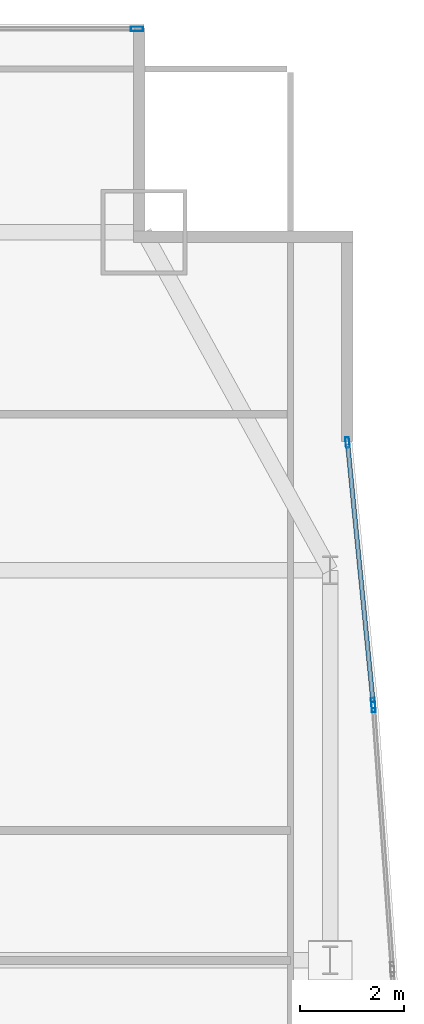
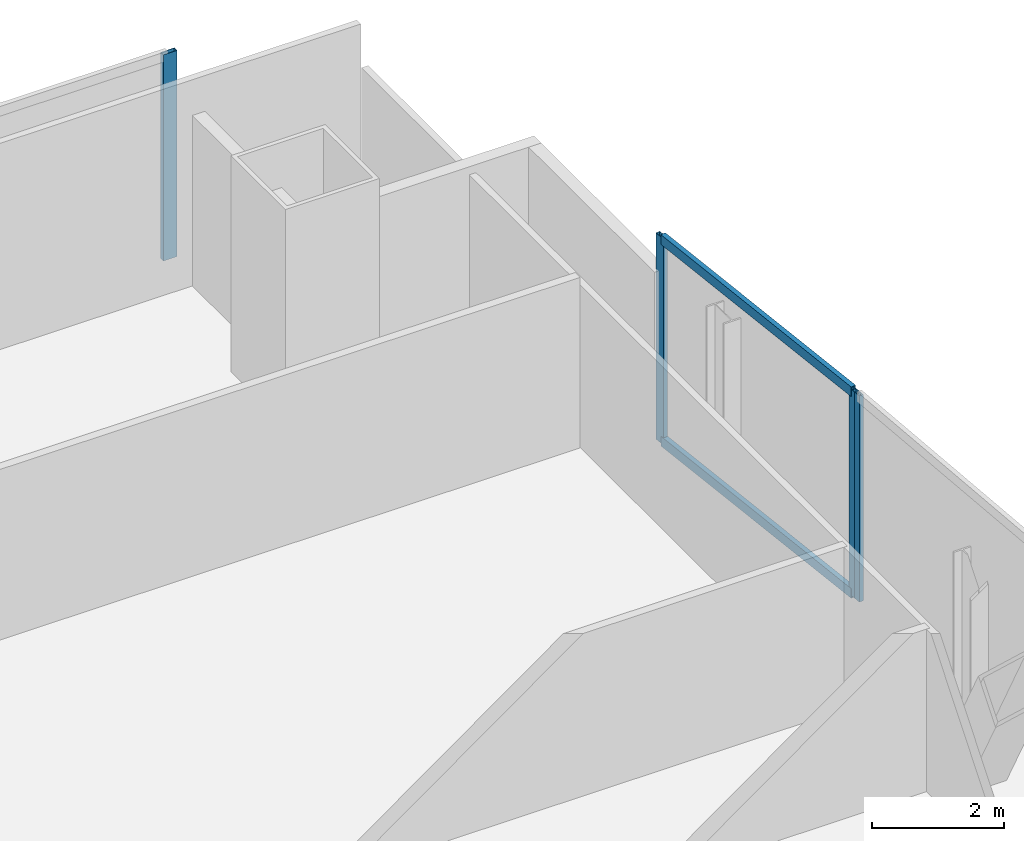
# One storey, part 24 of 33: 6 members, 3 elements without a shape of their own.
"""IFC4 building model written with IfcOpenShell, lengths in metres."""

import ifcopenshell
import ifcopenshell.guid

model = None  # the IFC model being written
_history = None  # IfcOwnerHistory: only IFC2X3 demands one
_inside = {}  # id of a spatial element -> (the spatial element, [elements in it])
_under = {}  # id of a project, library or spatial element -> (it, [spatial elements below it])
_declared = {}  # id of a project -> (the project, [libraries it declares])
_typed = {}  # id of a type object -> (the type object, [elements of that type])
_made_of = {}  # id of a material, layer set ... -> (it, [elements and type objects made of it])


def new_model(schema):
    """Start an empty IFC model of exactly this schema.

    Asked for "IFC4X3", IfcOpenShell would pick the latest addendum, in which some entities
    have other attributes; the version numbers below select the first issue.
    IFC2X3 requires an IfcOwnerHistory on every rooted entity: one is made here for all.
    """
    global model, _history
    if schema == "IFC4X3":
        model = ifcopenshell.file(schema_version=(4, 3, 0, 0))
    else:
        model = ifcopenshell.file(schema=schema)
    _inside.clear()
    _under.clear()
    _declared.clear()
    _typed.clear()
    _made_of.clear()
    _history = None
    if model.schema == "IFC2X3":
        org = make("IfcOrganization", Name="unknown")
        user = make(
            "IfcPersonAndOrganization",
            ThePerson=make("IfcPerson", FamilyName="unknown"),
            TheOrganization=org,
        )
        app = make(
            "IfcApplication",
            ApplicationDeveloper=org,
            Version="unknown",
            ApplicationFullName="unknown",
            ApplicationIdentifier="unknown",
        )
        _history = make(
            "IfcOwnerHistory",
            OwningUser=user,
            OwningApplication=app,
            ChangeAction="ADDED",
            CreationDate=0,
        )
    return model


def make(cls, **values):
    """One entity of the class cls with the attributes given. An attribute that is None is left unset."""
    return model.create_entity(
        cls, **{name: value for name, value in values.items() if value is not None}
    )


def rooted(cls, **values):
    """An entity with a GlobalId (a new one), such as an element, a storey or a relation."""
    return make(cls, GlobalId=ifcopenshell.guid.new(), OwnerHistory=_history, **values)


def si_unit(unit_type, name, prefix=None):
    """IfcSIUnit, for example si_unit("LENGTHUNIT", "METRE", prefix="MILLI")."""
    return make("IfcSIUnit", UnitType=unit_type, Prefix=prefix, Name=name)


def assignment(units):
    """IfcUnitAssignment: the units of a project."""
    return None if units is None else make("IfcUnitAssignment", Units=units)


def point(xyz):
    """IfcCartesianPoint."""
    return None if xyz is None else make("IfcCartesianPoint", Coordinates=xyz)


def direction(xyz):
    """IfcDirection."""
    return None if xyz is None else make("IfcDirection", DirectionRatios=xyz)


def frame(location, z_axis=None, x_axis=None):
    """IfcAxis2Placement3D, a coordinate frame: its origin and axes. An axis left out is left unset."""
    return make(
        "IfcAxis2Placement3D",
        Location=point(location),
        Axis=direction(z_axis),
        RefDirection=direction(x_axis),
    )


def frame_2d(location, x_axis=None):
    """IfcAxis2Placement2D, a coordinate frame in the plane: its origin and x axis."""
    return make(
        "IfcAxis2Placement2D", Location=point(location), RefDirection=direction(x_axis)
    )


def origin():
    """The frame at (0, 0, 0) with its axes left unset."""
    return frame((0.0, 0.0, 0.0))


def origin_2d():
    """The frame at (0, 0) in the plane with its x axis left unset."""
    return frame_2d((0.0, 0.0))


def place(relative_to, where):
    """IfcLocalPlacement: puts the frame where relative to a parent placement (None: the world)."""
    return make(
        "IfcLocalPlacement", PlacementRelTo=relative_to, RelativePlacement=where
    )


def context(
    kind, dimensions, precision=None, world=None, true_north=None, identifier=None
):
    """IfcGeometricRepresentationContext, for example the 3D "Model" context."""
    return make(
        "IfcGeometricRepresentationContext",
        ContextIdentifier=identifier,
        ContextType=kind,
        CoordinateSpaceDimension=dimensions,
        Precision=precision,
        WorldCoordinateSystem=world,
        TrueNorth=true_north,
    )


def subcontext(parent, identifier, kind, view, scale=None):
    """IfcGeometricRepresentationSubContext, for example "Body" below "Model"."""
    return make(
        "IfcGeometricRepresentationSubContext",
        ContextIdentifier=identifier,
        ContextType=kind,
        ParentContext=parent,
        TargetScale=scale,
        TargetView=view,
    )


def project(units=None, contexts=None):
    """IfcProject with its units and contexts."""
    return rooted(
        "IfcProject",
        Name="project",
        RepresentationContexts=contexts,
        UnitsInContext=assignment(units),
    )


def spatial(cls, under=None, at=None, **own):
    """A site, building, storey or space (cls), placed at a placement, below another one or the project."""
    s = rooted(cls, ObjectPlacement=at, **own)
    if under is not None:
        _under.setdefault(under.id(), (under, []))[1].append(s)
    return s


def profile(cls, at=None, kind="AREA", **sizes):
    """A parametric profile (cls). Its sizes go by their IFC names, for example OverallWidth=200.0."""
    return make(cls, ProfileType=kind, Position=at, **sizes)


def hollow_rectangle(**sizes):
    """IfcRectangleHollowProfileDef."""
    return profile("IfcRectangleHollowProfileDef", **sizes)


def extrude(swept, where, along, depth):
    """IfcExtrudedAreaSolid: the profile swept, set in the frame where, extruded along a direction by depth."""
    return make(
        "IfcExtrudedAreaSolid",
        SweptArea=swept,
        Position=where,
        ExtrudedDirection=direction(along),
        Depth=depth,
    )


def shape(context_of_items, identifier, shape_type, items):
    """IfcShapeRepresentation: the items that make up one representation, for example the "Body"."""
    return make(
        "IfcShapeRepresentation",
        ContextOfItems=context_of_items,
        RepresentationIdentifier=identifier,
        RepresentationType=shape_type,
        Items=items,
    )


def material(Name=None, Category=None):
    """IfcMaterial."""
    return make("IfcMaterial", Name=Name, Category=Category)


def material_profile(
    of_material, cross_section, Name=None, Category=None, Priority=None
):
    """IfcMaterialProfile: a cross section and its material."""
    return make(
        "IfcMaterialProfile",
        Name=Name,
        Material=of_material,
        Profile=cross_section,
        Priority=Priority,
        Category=Category,
    )


def profile_set(profiles, Name=None, composite=None):
    """IfcMaterialProfileSet."""
    return make(
        "IfcMaterialProfileSet",
        Name=Name,
        MaterialProfiles=profiles,
        CompositeProfile=composite,
    )


def made_of(thing, what):
    """Note that an element or type object is made of a material, layer set ...; save() writes the relation."""
    if what is not None:
        _made_of.setdefault(what.id(), (what, []))[1].append(thing)
    return thing


def type_object(cls, material=None, **own):
    """A type object (cls), such as IfcWallType, which elements share."""
    return made_of(rooted(cls, **own), material)


def element(
    cls,
    number,
    at=None,
    inside=None,
    cuts=None,
    type_object=None,
    material=None,
    context=None,
    identifier="Body",
    shape_type=None,
    held_by="IfcProductDefinitionShape",
    body=None,
    shapes=None,
    **own,
):
    """One element of the class cls, such as IfcWall. Its Tag is "e" and its number.

    at: its placement. inside: the storey or other place that contains it. cuts: it is an
    opening in that element (IfcRelVoidsElement). A single representation is given by context,
    identifier, shape_type and body (its items); several are given by shapes. held_by: the class
    of the entity that holds the representations. save() writes the other relations.
    """
    e = rooted(cls, Tag="e%d" % number, ObjectPlacement=at, **own)
    if body is not None:
        shapes = [shape(context, identifier, shape_type, body)]
    if shapes is not None:
        e.Representation = make(held_by, Representations=shapes)
    if inside is not None:
        _inside.setdefault(inside.id(), (inside, []))[1].append(e)
    if cuts is not None:
        rooted(
            "IfcRelVoidsElement", RelatingBuildingElement=cuts, RelatedOpeningElement=e
        )
    if type_object is not None:
        _typed.setdefault(type_object.id(), (type_object, []))[1].append(e)
    return made_of(e, material)


def aggregate(whole, parts):
    """IfcRelAggregates: a whole, such as a stair, and the parts it consists of."""
    return rooted("IfcRelAggregates", RelatingObject=whole, RelatedObjects=parts)


def save(model, path):
    """Write the relations noted so far, then the file.

    IfcRelAggregates (storeys below a building ...), IfcRelContainedInSpatialStructure (elements
    in a storey), IfcRelDefinesByType, IfcRelAssociatesMaterial and IfcRelDeclares: one each for
    every whole, place, type object, material and project.
    """
    for whole, parts in _under.values():
        aggregate(whole, parts)
    for where, things in _inside.values():
        rooted(
            "IfcRelContainedInSpatialStructure",
            RelatedElements=things,
            RelatingStructure=where,
        )
    for kind, things in _typed.values():
        rooted("IfcRelDefinesByType", RelatedObjects=things, RelatingType=kind)
    for what, things in _made_of.values():
        rooted("IfcRelAssociatesMaterial", RelatedObjects=things, RelatingMaterial=what)
    for by, libraries in _declared.values():
        rooted("IfcRelDeclares", RelatingContext=by, RelatedDefinitions=libraries)
    model.write(path)


model = new_model("IFC4")

# Units and contexts
model_context = context("Model", 3, precision=1e-05, world=origin(), true_north=direction((0.0, 1.0)))
body_context = subcontext(model_context, "Body", "Model", "MODEL_VIEW")
ifc_project = project(units=[si_unit("LENGTHUNIT", "METRE"), si_unit("AREAUNIT", "SQUARE_METRE"), si_unit("VOLUMEUNIT", "CUBIC_METRE"), si_unit("PLANEANGLEUNIT", "RADIAN"), si_unit("MASSUNIT", "GRAM", prefix="KILO")], contexts=[model_context])

# Site, building, storey
site_placement = place(None, origin())
site = spatial("IfcSite", under=ifc_project, at=site_placement, CompositionType="ELEMENT")
building_placement = place(site_placement, origin())
building = spatial("IfcBuilding", under=site, at=building_placement, Name="Khoronbel Lancet Exchange", CompositionType="ELEMENT")
storey_placement = place(building_placement, frame((0.0, 0.0, 73.800048828125)))
storey = spatial("IfcBuildingStorey", under=building, at=storey_placement, Name="L17", CompositionType="ELEMENT", Elevation=73.800048828125)

# Curtain wall, member
ifc_material_1 = material(Name="Low-E Solar Control Insulating Glass", Category="glass")
curtain_wall_type_1 = type_object("IfcCurtainWallType", Name="CW-1", PredefinedType="NOTDEFINED", material=ifc_material_1)
curtain_wall_1_placement = place(storey_placement, origin())
curtain_wall_1 = element("IfcCurtainWall", 1, at=curtain_wall_1_placement, inside=storey, type_object=curtain_wall_type_1, Name="Unitised curtain wall CW-L17-NEFLK", PredefinedType="NOTDEFINED")
ifc_material_2 = material(Name="Bronze-Anodised Aluminium 6063-T6", Category="aluminium")
ifc_material_profile_1 = material_profile(ifc_material_2, hollow_rectangle(XDim=0.0849609375, YDim=0.239990234375, WallThickness=0.006103515625, at=origin_2d()), Name="ALU MULLION 85x240")
ifc_profile_set_1 = profile_set([ifc_material_profile_1], Name="Bronze-Anodised Aluminium 6063-T6")
member_type_1 = type_object("IfcMemberType", Name="MEM-CWM1", PredefinedType="MULLION", material=ifc_profile_set_1)
member_1_placement = place(storey_placement, frame((67.91748046875, 53.610107421875, 0.0), z_axis=(0.0, 0.0, 1.0), x_axis=(0.0, -1.0, 0.0)))
member_1 = element("IfcMember", 2, at=member_1_placement, type_object=member_type_1, Name="CW1 mullion 1", PredefinedType="MULLION", context=body_context, shape_type="SweptSolid", body=[
    extrude(hollow_rectangle(XDim=0.0849609375, YDim=0.239990234375, WallThickness=0.006103515625, at=origin_2d()), origin(), (0.0, 0.0, 1.0), 3.820068359375),
])
aggregate(curtain_wall_1, [member_1])

# Curtain wall, members
curtain_wall_type_2 = type_object("IfcCurtainWallType", Name="CW-4", PredefinedType="NOTDEFINED", material=ifc_material_1)
curtain_wall_2_placement = place(storey_placement, origin())
curtain_wall_2 = element("IfcCurtainWall", 3, at=curtain_wall_2_placement, inside=storey, type_object=curtain_wall_type_2, Name="Unitised curtain wall CW-L17-E17", PredefinedType="NOTDEFINED")
ifc_material_profile_2 = material_profile(ifc_material_2, hollow_rectangle(XDim=0.074951171875, YDim=0.199951171875, WallThickness=0.0048828125, at=origin_2d()), Name="ALU MULLION 75x200")
ifc_profile_set_2 = profile_set([ifc_material_profile_2], Name="Bronze-Anodised Aluminium 6063-T6")
member_type_2 = type_object("IfcMemberType", Name="MEM-CWM2", PredefinedType="MULLION", material=ifc_profile_set_2)
member_2_placement = place(storey_placement, frame((71.963623046875, 45.658203125, 0.0), z_axis=(0.0, 0.0, 1.0), x_axis=(0.995197629598, 0.09788604621, 0.0)))
member_2 = element("IfcMember", 4, at=member_2_placement, type_object=member_type_2, Name="CW4 mullion 1", PredefinedType="MULLION", context=body_context, shape_type="SweptSolid", body=[
    extrude(hollow_rectangle(XDim=0.074951171875, YDim=0.199951171875, WallThickness=0.0048828125, at=origin_2d()), origin(), (0.0, 0.0, 1.0), 3.820068359375),
])
member_3_placement = place(storey_placement, frame((72.45654296875, 40.646484375, 0.0), z_axis=(0.0, 0.0, 1.0), x_axis=(0.995197629598, 0.09788604621, 0.0)))
member_3 = element("IfcMember", 5, at=member_3_placement, type_object=member_type_2, Name="CW4 mullion 2", PredefinedType="MULLION", context=body_context, shape_type="SweptSolid", body=[
    extrude(hollow_rectangle(XDim=0.074951171875, YDim=0.199951171875, WallThickness=0.0048828125, at=origin_2d()), origin(), (0.0, 0.0, 1.0), 3.820068359375),
])

# Curtain wall, member
curtain_wall_3_placement = place(storey_placement, origin())
curtain_wall_3 = element("IfcCurtainWall", 6, at=curtain_wall_3_placement, inside=storey, type_object=curtain_wall_type_2, Name="Unitised curtain wall CW-L17-E18", PredefinedType="NOTDEFINED")
member_4_placement = place(storey_placement, frame((72.462890625, 40.57177734375, 0.0), z_axis=(0.0, 0.0, 1.0), x_axis=(0.997417674327, 0.071819098708, 0.0)))
member_4 = element("IfcMember", 7, at=member_4_placement, type_object=member_type_2, Name="CW4 mullion 1", PredefinedType="MULLION", context=body_context, shape_type="SweptSolid", body=[
    extrude(hollow_rectangle(XDim=0.074951171875, YDim=0.199951171875, WallThickness=0.0048828125, at=origin_2d()), origin(), (0.0, 0.0, 1.0), 3.820068359375),
])
aggregate(curtain_wall_3, [member_4])

# Member
ifc_material_profile_3 = material_profile(ifc_material_2, hollow_rectangle(XDim=0.0849609375, YDim=0.179931640625, WallThickness=0.0048828125, at=origin_2d()), Name="ALU TRANSOM 85x180")
ifc_profile_set_3 = profile_set([ifc_material_profile_3], Name="Bronze-Anodised Aluminium 6063-T6")
member_type_3 = type_object("IfcMemberType", Name="MEM-CWT1", PredefinedType="USERDEFINED", material=ifc_profile_set_3)
member_5_placement = place(storey_placement, frame((71.96728515625, 45.620849609375, 0.04248046875), z_axis=(0.097885872772, -0.995197646657, 0.0), x_axis=(0.995197646657, 0.097885872772, 0.0)))
member_5 = element("IfcMember", 8, at=member_5_placement, type_object=member_type_3, Name="CW4 transom 1.1", ObjectType="TRANSOM", PredefinedType="USERDEFINED", context=body_context, shape_type="SweptSolid", body=[
    extrude(hollow_rectangle(XDim=0.0849609375, YDim=0.179931640625, WallThickness=0.0048828125, at=origin_2d()), origin(), (0.0, 0.0, 1.0), 4.9609375),
])

member_6_placement = place(storey_placement, frame((71.96728515625, 45.620849609375, 3.77734375), z_axis=(0.097885872772, -0.995197646657, 0.0), x_axis=(0.995197646657, 0.097885872772, 0.0)))
member_6 = element("IfcMember", 9, at=member_6_placement, type_object=member_type_3, Name="CW4 transom 1.2", ObjectType="TRANSOM", PredefinedType="USERDEFINED", context=body_context, shape_type="SweptSolid", body=[
    extrude(hollow_rectangle(XDim=0.0849609375, YDim=0.179931640625, WallThickness=0.0048828125, at=origin_2d()), origin(), (0.0, 0.0, 1.0), 4.9609375),
])

aggregate(curtain_wall_2, [member_2, member_3, member_5, member_6])

save(model, "model.ifc")
